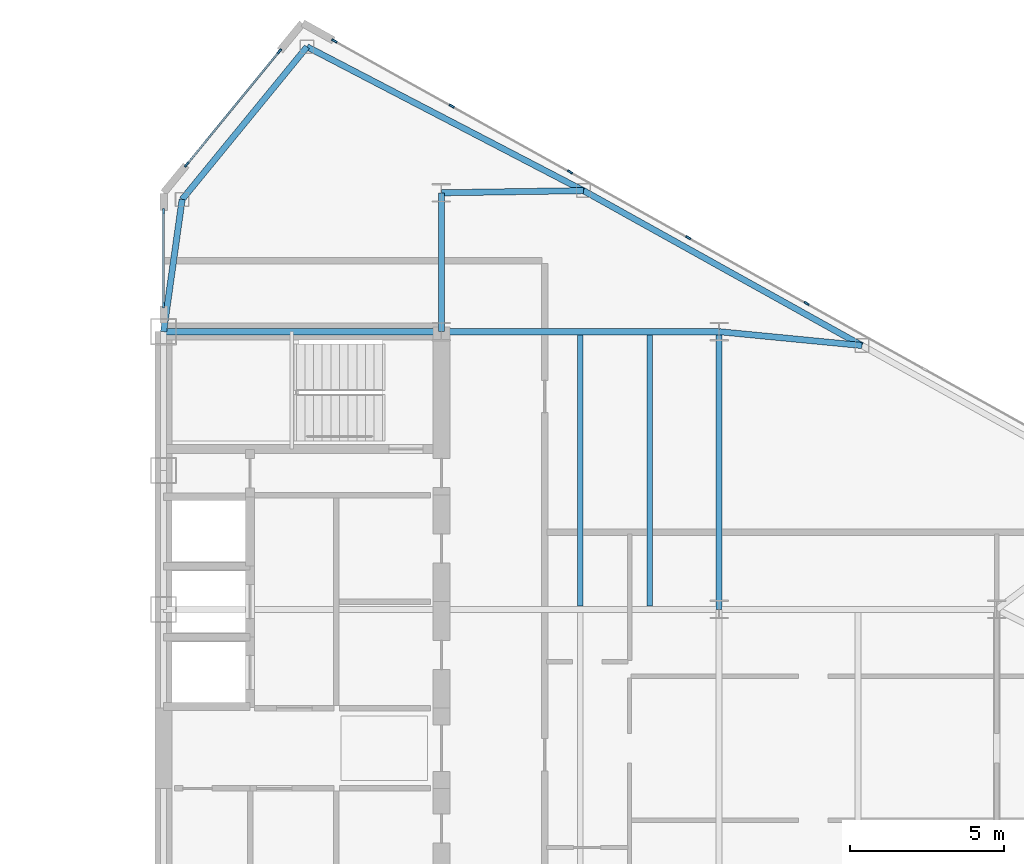
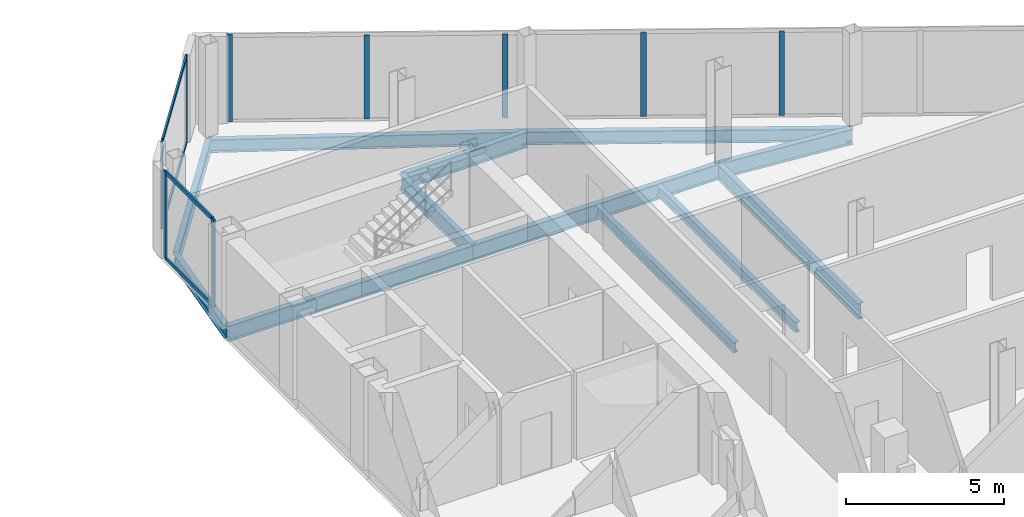
# One storey, part 15 of 26: 13 members, 12 beams, 3 elements without a shape of their own.
"""IFC4 building model written with IfcOpenShell, lengths in metres."""

from ifc_helpers import new_model, si_unit, direction, frame, origin, origin_2d, place, context, subcontext, project, spatial, rectangle, i_section, extrude, source, transform, mapped, material, layer, layer_set, material_profile, profile_set, type_object, type_shapes, element, aggregate, save


model = new_model("IFC4")

# Units and contexts
model_context = context("Model", 3, precision=1e-05, world=origin(), true_north=direction((0.0, 1.0)))
body_context = subcontext(model_context, "Body", "Model", "MODEL_VIEW")
ifc_project = project(units=[si_unit("LENGTHUNIT", "METRE"), si_unit("AREAUNIT", "SQUARE_METRE"), si_unit("VOLUMEUNIT", "CUBIC_METRE"), si_unit("PLANEANGLEUNIT", "RADIAN"), si_unit("MASSUNIT", "GRAM", prefix="KILO")], contexts=[model_context])

# Site, building, storey
site_placement = place(None, origin())
site = spatial("IfcSite", under=ifc_project, at=site_placement, CompositionType="ELEMENT")
building_placement = place(site_placement, origin())
building = spatial("IfcBuilding", under=site, at=building_placement, Name="Seokmaru Belvedere", CompositionType="ELEMENT")
storey_placement = place(building_placement, frame((0.0, 0.0, 167.10009765625)))
storey = spatial("IfcBuildingStorey", under=building, at=storey_placement, Name="L44", CompositionType="ELEMENT", Elevation=167.10009765625)

# Beams
ifc_material_1 = material(Name="Steel SM355 (355 MPa)", Category="steel")
ifc_material_profile_1 = material_profile(ifc_material_1, i_section(OverallWidth=0.199951171875, OverallDepth=0.60009765625, WebThickness=0.010986328125, FlangeThickness=0.01708984375, at=origin_2d()), Name="H-600x200x11x17")
ifc_profile_set_1 = profile_set([ifc_material_profile_1], Name="Steel SM355 (355 MPa)")
beam_type_1 = type_object("IfcBeamType", Name="Primary Floor Girder H-600", PredefinedType="BEAM", material=ifc_profile_set_1)
shared_shape_1 = source(origin(), body_context, "Body", "SweptSolid", [
    extrude(i_section(OverallWidth=0.199951171875, OverallDepth=0.60009765625, WebThickness=0.010986328125, FlangeThickness=0.01708984375, at=origin_2d()), origin(), (0.0, 0.0, 1.0), 9.0),
])
for number, where, z_axis, x_axis, name in (
    (1, (45.5, 4.5, -0.52001953125), (0.0, 1.0, 0.0), (-1.0, 0.0, 0.0), "L44 E Interior Grid Girder 3"),
    (2, (27.5, 13.5, -0.52001953125), (1.0, 0.0, 0.0), (0.0, 1.0, 0.0), "L44 E Core Tie Girder 4"),
    (3, (36.5, 13.5, -0.52001953125), (1.0, 0.0, 0.0), (0.0, 1.0, 0.0), "L44 E Wing Primary Girder 4"),
):
    element("IfcBeam", number, at=place(storey_placement, frame(where, z_axis=z_axis, x_axis=x_axis)), inside=storey, type_object=beam_type_1, Name=name, PredefinedType="BEAM", context=body_context, shape_type="MappedRepresentation", body=[
        mapped(shared_shape_1, transform((0.0, 0.0, 0.0), scale=1.0)),
    ])
ifc_material_profile_2 = material_profile(ifc_material_1, i_section(OverallWidth=0.18505859375, OverallDepth=0.389892578125, WebThickness=0.008056640625, FlangeThickness=0.011962890625, at=origin_2d()), Name="H-390x185x8x12")
ifc_profile_set_2 = profile_set([ifc_material_profile_2], Name="Steel SM355 (355 MPa)")
beam_type_2 = type_object("IfcBeamType", Name="Secondary Floor Joist H-350", PredefinedType="JOIST", material=ifc_profile_set_2)
shared_shape_2 = source(origin(), body_context, "Body", "SweptSolid", [
    extrude(i_section(OverallWidth=0.18505859375, OverallDepth=0.389892578125, WebThickness=0.008056640625, FlangeThickness=0.011962890625, at=origin_2d()), origin(), (0.0, 0.0, 1.0), 8.7900390625),
])
type_shapes(beam_type_2, [shared_shape_2])
for number, where, z_axis, x_axis, name in (
    (4, (43.25, 4.60498046875, -0.4150390625), (0.0, 1.0, 0.0), (-1.0, 0.0, 0.0), "L44 E Wing Inner Secondary Joist 2"),
    (5, (41.0, 4.60498046875, -0.4150390625), (0.0, 1.0, 0.0), (-1.0, 0.0, 0.0), "L44 E Secondary Floor Joist 3"),
):
    element("IfcBeam", number, at=place(storey_placement, frame(where, z_axis=z_axis, x_axis=x_axis)), inside=storey, type_object=beam_type_2, Name=name, PredefinedType="JOIST", context=body_context, shape_type="MappedRepresentation", body=[
        mapped(shared_shape_2, transform((0.0, 0.0, 0.0), scale=1.0)),
    ])
shared_shape_3 = source(origin(), body_context, "Body", "SweptSolid", [
    extrude(i_section(OverallWidth=0.199951171875, OverallDepth=0.60009765625, WebThickness=0.010986328125, FlangeThickness=0.01708984375, at=origin_2d()), origin(), (0.0, 0.0, 1.0), 4.5),
])
beam_1_placement = place(storey_placement, frame((36.5, 13.5, -0.52001953125), z_axis=(0.0, 1.0, 0.0), x_axis=(-1.0, 0.0, 0.0)))
element("IfcBeam", 6, at=beam_1_placement, inside=storey, type_object=beam_type_1, Name="L44 E Core Shoulder Girder N", PredefinedType="BEAM", context=body_context, shape_type="MappedRepresentation", body=[
    mapped(shared_shape_3, transform((0.0, 0.0, 0.0), scale=1.0)),
])
ifc_material_profile_3 = material_profile(ifc_material_1, i_section(OverallWidth=0.199951171875, OverallDepth=0.5, WebThickness=0.010009765625, FlangeThickness=0.01611328125, at=origin_2d()), Name="H-500x200x10x16")
ifc_profile_set_3 = profile_set([ifc_material_profile_3], Name="Steel SM355 (355 MPa)")
beam_type_3 = type_object("IfcBeamType", Name="Perimeter Spandrel Beam H-500", PredefinedType="SPANDREL", material=ifc_profile_set_3)
shared_shape_4 = source(origin(), body_context, "Body", "SweptSolid", [
    extrude(i_section(OverallWidth=0.199951171875, OverallDepth=0.5, WebThickness=0.010009765625, FlangeThickness=0.01611328125, at=origin_2d()), origin(), (0.0, 0.0, 1.0), 10.09716796875),
])
beam_2_placement = place(storey_placement, frame((32.146728515625, 22.731689453125, -0.47021484375), z_axis=(0.887085728914, -0.461604711369, 0.0), x_axis=(0.461604711369, 0.887085728914, 0.0)))
element("IfcBeam", 7, at=beam_2_placement, inside=storey, type_object=beam_type_3, Name="L44 E Faceted Flank Spandrel N-1", PredefinedType="SPANDREL", context=body_context, shape_type="MappedRepresentation", body=[
    mapped(shared_shape_4, transform((0.0, 0.0, 0.0), scale=1.0)),
])
shared_shape_5 = source(origin(), body_context, "Body", "SweptSolid", [
    extrude(i_section(OverallWidth=0.199951171875, OverallDepth=0.5, WebThickness=0.010009765625, FlangeThickness=0.01611328125, at=origin_2d()), origin(), (0.0, 0.0, 1.0), 10.327392578125),
])
beam_3_placement = place(storey_placement, frame((41.103759765625, 18.07080078125, -0.47021484375), z_axis=(0.873924120588, -0.486062374037, 0.0), x_axis=(0.486062374037, 0.873924120588, 0.0)))
element("IfcBeam", 8, at=beam_3_placement, inside=storey, type_object=beam_type_3, Name="L44 E Faceted Flank Spandrel N-2", PredefinedType="SPANDREL", context=body_context, shape_type="MappedRepresentation", body=[
    mapped(shared_shape_5, transform((0.0, 0.0, 0.0), scale=1.0)),
])
shared_shape_6 = source(origin(), body_context, "Body", "SweptSolid", [
    extrude(i_section(OverallWidth=0.199951171875, OverallDepth=0.5, WebThickness=0.010009765625, FlangeThickness=0.01611328125, at=origin_2d()), origin(), (0.0, 0.0, 1.0), 6.390380859375),
])
beam_4_placement = place(storey_placement, frame((32.146728515625, 22.731689453125, -0.47021484375), z_axis=(-0.63324403161, -0.7739521926, 0.0), x_axis=(0.7739521926, -0.63324403161, 0.0)))
element("IfcBeam", 9, at=beam_4_placement, inside=storey, type_object=beam_type_3, Name="L44 E Shoulder Chamfer Spandrel N", PredefinedType="SPANDREL", context=body_context, shape_type="MappedRepresentation", body=[
    mapped(shared_shape_6, transform((0.0, 0.0, 0.0), scale=1.0)),
])
shared_shape_7 = source(origin(), body_context, "Body", "SweptSolid", [
    extrude(i_section(OverallWidth=0.199951171875, OverallDepth=0.5, WebThickness=0.010009765625, FlangeThickness=0.01611328125, at=origin_2d()), origin(), (0.0, 0.0, 1.0), 4.32763671875),
])
type_shapes(beam_type_3, [shared_shape_4, shared_shape_5, shared_shape_6, shared_shape_7])
beam_5_placement = place(storey_placement, frame((28.10009765625, 17.785888671875, -0.47021484375), z_axis=(-0.138664443237, -0.990339422714, 0.0), x_axis=(0.990339422714, -0.138664443237, 0.0)))
element("IfcBeam", 10, at=beam_5_placement, inside=storey, type_object=beam_type_3, Name="L44 E Shoulder Spine Spandrel N", PredefinedType="SPANDREL", context=body_context, shape_type="MappedRepresentation", body=[
    mapped(shared_shape_7, transform((0.0, 0.0, 0.0), scale=1.0)),
])
shared_shape_8 = source(origin(), body_context, "Body", "SweptSolid", [
    extrude(i_section(OverallWidth=0.199951171875, OverallDepth=0.60009765625, WebThickness=0.010986328125, FlangeThickness=0.01708984375, at=origin_2d()), origin(), (0.0, 0.0, 1.0), 4.604248046875),
])
beam_6_placement = place(storey_placement, frame((41.103759765625, 18.07080078125, -0.52001953125), z_axis=(-0.999881765622, -0.01537708607, 0.0), x_axis=(0.01537708607, -0.999881765622, 0.0)))
element("IfcBeam", 11, at=beam_6_placement, inside=storey, type_object=beam_type_1, Name="L44 E Flank Radial Floor Girder N-1", PredefinedType="BEAM", context=body_context, shape_type="MappedRepresentation", body=[
    mapped(shared_shape_8, transform((0.0, 0.0, 0.0), scale=1.0)),
])
shared_shape_9 = source(origin(), body_context, "Body", "SweptSolid", [
    extrude(i_section(OverallWidth=0.199951171875, OverallDepth=0.60009765625, WebThickness=0.010986328125, FlangeThickness=0.01708984375, at=origin_2d()), origin(), (0.0, 0.0, 1.0), 4.65087890625),
])
type_shapes(beam_type_1, [shared_shape_1, shared_shape_3, shared_shape_8, shared_shape_9])
beam_7_placement = place(storey_placement, frame((50.129150390625, 13.051025390625, -0.52001953125), z_axis=(-0.995329534874, 0.09653557379, 0.0), x_axis=(-0.09653557379, -0.995329534874, 0.0)))
element("IfcBeam", 12, at=beam_7_placement, inside=storey, type_object=beam_type_1, Name="L44 E Flank Radial Floor Girder N-2", PredefinedType="BEAM", context=body_context, shape_type="MappedRepresentation", body=[
    mapped(shared_shape_9, transform((0.0, 0.0, 0.0), scale=1.0)),
])

# Curtain wall, members
ifc_material_2 = material(Name="Bronze Triple Insulating Glass", Category="glass")
ifc_layer = layer(ifc_material_2, 0.179931640625)
ifc_layer_set = layer_set([ifc_layer], Name="Bronze Triple Insulating Glass")
curtain_wall_type = type_object("IfcCurtainWallType", Name="High-Rise Wind-Corner Curtain Wall System CW-5", PredefinedType="NOTDEFINED", material=ifc_layer_set)
curtain_wall_1_placement = place(storey_placement, origin())
curtain_wall_1 = element("IfcCurtainWall", 13, at=curtain_wall_1_placement, inside=storey, type_object=curtain_wall_type, Name="L44 Curtain Wall ESP_2", PredefinedType="NOTDEFINED")
ifc_material_3 = material(Name="Anodised Bronze Aluminium", Category="aluminium")
ifc_material_profile_4 = material_profile(ifc_material_3, rectangle(XDim=0.06494140625, YDim=0.14990234375, at=origin_2d()), Name="CW-T-65x150")
ifc_profile_set_4 = profile_set([ifc_material_profile_4], Name="Anodised Bronze Aluminium")
member_type_1 = type_object("IfcMemberType", Name="Bronze Unitised Transom 65x150", PredefinedType="USERDEFINED", material=ifc_profile_set_4)
shared_shape_10 = source(origin(), body_context, "Body", "SweptSolid", [
    extrude(rectangle(XDim=0.06494140625, YDim=0.14990234375, at=origin_2d()), origin(), (0.0, 0.0, 1.0), 2.969970703125),
])
member_1_placement = place(storey_placement, frame((27.5, 17.364990234375, 0.032470703125), z_axis=(0.0, -1.0, 0.0), x_axis=(1.0, 0.0, 0.0)))
member_1 = element("IfcMember", 14, at=member_1_placement, type_object=member_type_1, Name="CW:L44:ESP_2 Continuous Transom 1", ObjectType="TRANSOM", PredefinedType="USERDEFINED", context=body_context, shape_type="MappedRepresentation", body=[
    mapped(shared_shape_10, transform((0.0, 0.0, 0.0), scale=1.0)),
])
member_2_placement = place(storey_placement, frame((27.5, 17.364990234375, 3.347412109375), z_axis=(0.0, -1.0, 0.0), x_axis=(1.0, 0.0, 0.0)))
member_2 = element("IfcMember", 15, at=member_2_placement, type_object=member_type_1, Name="CW:L44:ESP_2 Continuous Transom 2", ObjectType="TRANSOM", PredefinedType="USERDEFINED", context=body_context, shape_type="MappedRepresentation", body=[
    mapped(shared_shape_10, transform((0.0, 0.0, 0.0), scale=1.0)),
])

curtain_wall_2_placement = place(storey_placement, origin())
curtain_wall_2 = element("IfcCurtainWall", 16, at=curtain_wall_2_placement, inside=storey, type_object=curtain_wall_type, Name="L44 Curtain Wall EF4", PredefinedType="NOTDEFINED")
shared_shape_11 = source(origin(), body_context, "Body", "SweptSolid", [
    extrude(rectangle(XDim=0.06494140625, YDim=0.14990234375, at=origin_2d()), origin(), (0.0, 0.0, 1.0), 4.67626953125),
])
type_shapes(member_type_1, [shared_shape_10, shared_shape_11])
member_3_placement = place(storey_placement, frame((31.230712890625, 22.5595703125, 0.032470703125), z_axis=(-0.633277591216, -0.773924733074, 0.0), x_axis=(0.773924733074, -0.633277591216, 0.0)))
member_3 = element("IfcMember", 17, at=member_3_placement, type_object=member_type_1, Name="CW:L44:EF4 Continuous Transom 1", ObjectType="TRANSOM", PredefinedType="USERDEFINED", context=body_context, shape_type="MappedRepresentation", body=[
    mapped(shared_shape_11, transform((0.0, 0.0, 0.0), scale=1.0)),
])
member_4_placement = place(storey_placement, frame((31.230712890625, 22.5595703125, 3.347412109375), z_axis=(-0.633277591216, -0.773924733074, 0.0), x_axis=(0.773924733074, -0.633277591216, 0.0)))
member_4 = element("IfcMember", 18, at=member_4_placement, type_object=member_type_1, Name="CW:L44:EF4 Continuous Transom 2", ObjectType="TRANSOM", PredefinedType="USERDEFINED", context=body_context, shape_type="MappedRepresentation", body=[
    mapped(shared_shape_11, transform((0.0, 0.0, 0.0), scale=1.0)),
])

# Curtain wall, member
curtain_wall_3_placement = place(storey_placement, origin())
curtain_wall_3 = element("IfcCurtainWall", 19, at=curtain_wall_3_placement, inside=storey, type_object=curtain_wall_type, Name="L44 Curtain Wall EF3", PredefinedType="NOTDEFINED")
ifc_material_profile_5 = material_profile(ifc_material_3, rectangle(XDim=0.06494140625, YDim=0.179931640625, at=origin_2d()), Name="CW-M-65x180")
ifc_profile_set_5 = profile_set([ifc_material_profile_5], Name="Anodised Bronze Aluminium")
member_type_2 = type_object("IfcMemberType", Name="Bronze Unitised Mullion 65x180", PredefinedType="MULLION", material=ifc_profile_set_5)
shared_shape_12 = source(origin(), body_context, "Body", "SweptSolid", [
    extrude(rectangle(XDim=0.06494140625, YDim=0.179931640625, at=origin_2d()), origin(), (0.0, 0.0, 1.0), 3.3798828125),
])
member_5_placement = place(storey_placement, frame((33.033447265625, 22.92529296875, 0.0), z_axis=(0.0, 0.0, 1.0), x_axis=(-0.486047125147, -0.873932601598, 0.0)))
member_5 = element("IfcMember", 20, at=member_5_placement, type_object=member_type_2, Name="CW:L44:EF3 Mullion 10", PredefinedType="MULLION", context=body_context, shape_type="MappedRepresentation", body=[
    mapped(shared_shape_12, transform((0.0, 0.0, 0.0), scale=1.0)),
])

# Member
member_6_placement = place(storey_placement, frame((31.251220703125, 22.584716796875, 0.0), z_axis=(0.0, 0.0, 1.0), x_axis=(0.773944112379, -0.633253907144, 0.0)))
member_6 = element("IfcMember", 21, at=member_6_placement, type_object=member_type_2, Name="CW:L44:EF4 Mullion 1", PredefinedType="MULLION", context=body_context, shape_type="MappedRepresentation", body=[
    mapped(shared_shape_12, transform((0.0, 0.0, 0.0), scale=1.0)),
])

member_7_placement = place(storey_placement, frame((28.248779296875, 18.915283203125, 0.0), z_axis=(0.0, 0.0, 1.0), x_axis=(0.773944112379, -0.633253907144, 0.0)))
member_7 = element("IfcMember", 22, at=member_7_placement, type_object=member_type_2, Name="CW:L44:EF4 Mullion 2", PredefinedType="MULLION", context=body_context, shape_type="MappedRepresentation", body=[
    mapped(shared_shape_12, transform((0.0, 0.0, 0.0), scale=1.0)),
])

aggregate(curtain_wall_2, [member_6, member_7, member_3, member_4])

member_8_placement = place(storey_placement, frame((27.5, 17.3974609375, 0.0), z_axis=(0.0, 0.0, 1.0), x_axis=(1.0, 0.0, 0.0)))
member_8 = element("IfcMember", 23, at=member_8_placement, type_object=member_type_2, Name="CW:L44:ESP_2 Mullion 1", PredefinedType="MULLION", context=body_context, shape_type="MappedRepresentation", body=[
    mapped(shared_shape_12, transform((0.0, 0.0, 0.0), scale=1.0)),
])

member_9_placement = place(storey_placement, frame((27.5, 14.362548828125, 0.0), z_axis=(0.0, 0.0, 1.0), x_axis=(1.0, 0.0, 0.0)))
member_9 = element("IfcMember", 24, at=member_9_placement, type_object=member_type_2, Name="CW:L44:ESP_2 Mullion 2", PredefinedType="MULLION", context=body_context, shape_type="MappedRepresentation", body=[
    mapped(shared_shape_12, transform((0.0, 0.0, 0.0), scale=1.0)),
])

aggregate(curtain_wall_1, [member_8, member_9, member_1, member_2])

shared_shape_13 = source(origin(), body_context, "Body", "SweptSolid", [
    extrude(rectangle(XDim=0.06494140625, YDim=0.179931640625, at=origin_2d()), origin(), (0.0, 0.0, 1.0), 3.25),
])
type_shapes(member_type_2, [shared_shape_12, shared_shape_13])
member_10_placement = place(storey_placement, frame((48.333984375, 14.415771484375, 0.06494140625), z_axis=(0.0, 0.0, 1.0), x_axis=(-0.486047125147, -0.873932601598, 0.0)))
member_10 = element("IfcMember", 25, at=member_10_placement, type_object=member_type_2, Name="CW:L44:EF3 Mullion 6", PredefinedType="MULLION", context=body_context, shape_type="MappedRepresentation", body=[
    mapped(shared_shape_13, transform((0.0, 0.0, 0.0), scale=1.0)),
])

member_11_placement = place(storey_placement, frame((44.501708984375, 16.547119140625, 0.06494140625), z_axis=(0.0, 0.0, 1.0), x_axis=(-0.486047125147, -0.873932601598, 0.0)))
member_11 = element("IfcMember", 26, at=member_11_placement, type_object=member_type_2, Name="CW:L44:EF3 Mullion 7", PredefinedType="MULLION", context=body_context, shape_type="MappedRepresentation", body=[
    mapped(shared_shape_13, transform((0.0, 0.0, 0.0), scale=1.0)),
])

member_12_placement = place(storey_placement, frame((40.66943359375, 18.67822265625, 0.06494140625), z_axis=(0.0, 0.0, 1.0), x_axis=(-0.486047125147, -0.873932601598, 0.0)))
member_12 = element("IfcMember", 27, at=member_12_placement, type_object=member_type_2, Name="CW:L44:EF3 Mullion 8", PredefinedType="MULLION", context=body_context, shape_type="MappedRepresentation", body=[
    mapped(shared_shape_13, transform((0.0, 0.0, 0.0), scale=1.0)),
])

member_13_placement = place(storey_placement, frame((36.837158203125, 20.809814453125, 0.06494140625), z_axis=(0.0, 0.0, 1.0), x_axis=(-0.486047125147, -0.873932601598, 0.0)))
member_13 = element("IfcMember", 28, at=member_13_placement, type_object=member_type_2, Name="CW:L44:EF3 Mullion 9", PredefinedType="MULLION", context=body_context, shape_type="MappedRepresentation", body=[
    mapped(shared_shape_13, transform((0.0, 0.0, 0.0), scale=1.0)),
])

aggregate(curtain_wall_3, [member_10, member_11, member_12, member_13, member_5])

save(model, "model.ifc")
